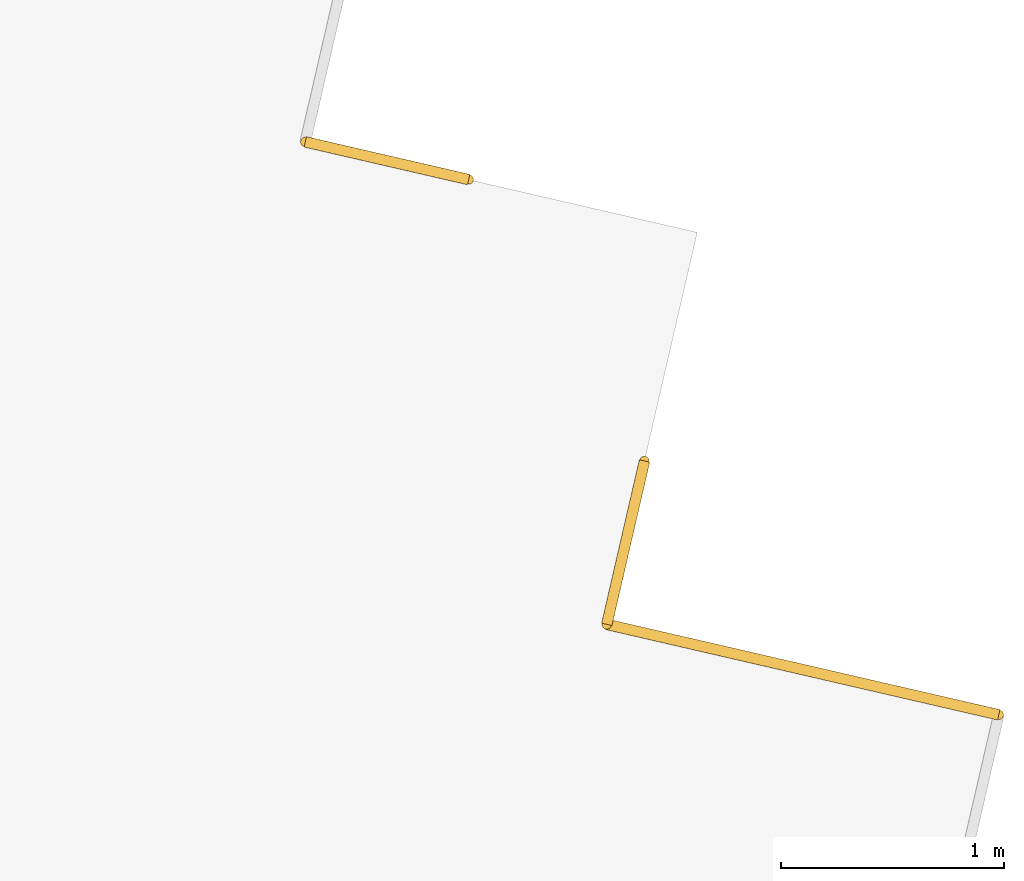
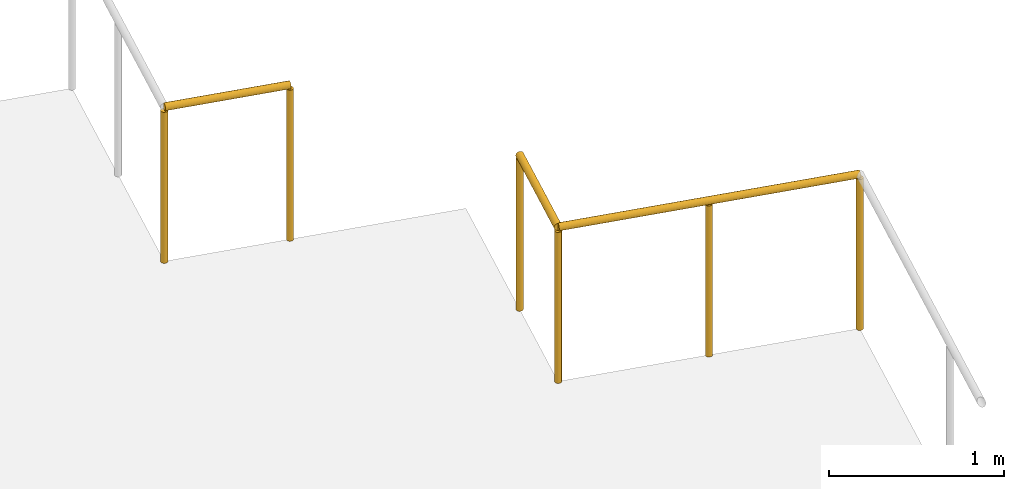
# One storey, part 21 of 24: 3 railings.
"""IFC4 building model written with IfcOpenShell, lengths in metres."""

from ifc_helpers import new_model, si_unit, direction, frame, origin, origin_2d, place, context, subcontext, project, spatial, circle, extrude, material, type_object, element, save


model = new_model("IFC4")

# Units and contexts
model_context = context("Model", 3, precision=1e-05, world=origin(), true_north=direction((0.0, 1.0)))
body_context = subcontext(model_context, "Body", "Model", "MODEL_VIEW")
ifc_project = project(units=[si_unit("LENGTHUNIT", "METRE"), si_unit("AREAUNIT", "SQUARE_METRE"), si_unit("VOLUMEUNIT", "CUBIC_METRE"), si_unit("PLANEANGLEUNIT", "RADIAN"), si_unit("MASSUNIT", "GRAM", prefix="KILO")], contexts=[model_context])

# Site, building, storey
site_placement = place(None, origin())
site = spatial("IfcSite", under=ifc_project, at=site_placement, CompositionType="ELEMENT")
building_placement = place(site_placement, origin())
building = spatial("IfcBuilding", under=site, at=building_placement, Name="Ogive Exchange Tower", CompositionType="ELEMENT")
storey_placement = place(building_placement, frame((0.0, 0.0, 165.60009765625)))
storey = spatial("IfcBuildingStorey", under=building, at=storey_placement, Name="L36", CompositionType="ELEMENT", Elevation=165.60009765625)

# Railings
ifc_material = material(Name="Stainless steel 316", Category="steel")
railing_type = type_object("IfcRailingType", Name="Balustrade 1100 glass and stainless steel", PredefinedType="BALUSTRADE", material=ifc_material)
railing_1_placement = place(storey_placement, frame((35.226806640625, 34.390380859375, 0.0)))
element("IfcRailing", 1, at=railing_1_placement, inside=storey, type_object=railing_type, Name="Terrace balustrade 14", PredefinedType="BALUSTRADE", context=body_context, shape_type="SweptSolid", body=[
    extrude(circle(Radius=0.02392578125, at=origin_2d()), frame((0.0, 0.0, 1.076171875), z_axis=(0.974385710358, -0.224883275169, 0.0), x_axis=(0.224883275169, 0.974385710358, 0.0)), (0.0, 0.0, 1.0), 0.750244140625),
    extrude(circle(Radius=0.02099609375, at=origin_2d()), origin(), (0.0, 0.0, 1.0), 1.052001953125),
    extrude(circle(Radius=0.02099609375, at=origin_2d()), frame((0.73095703125, -0.168701171875, 0.0)), (0.0, 0.0, 1.0), 1.052001953125),
])
railing_2_placement = place(storey_placement, frame((36.74462890625, 32.962890625, 0.0)))
element("IfcRailing", 2, at=railing_2_placement, inside=storey, type_object=railing_type, Name="Terrace balustrade 15", PredefinedType="BALUSTRADE", context=body_context, shape_type="SweptSolid", body=[
    extrude(circle(Radius=0.02392578125, at=origin_2d()), frame((0.0, 0.0, 1.076171875), z_axis=(-0.22512085051, -0.974330848668, 0.0), x_axis=(0.974330848668, -0.22512085051, 0.0)), (0.0, 0.0, 1.0), 0.75048828125),
    extrude(circle(Radius=0.02099609375, at=origin_2d()), origin(), (0.0, 0.0, 1.0), 1.052001953125),
    extrude(circle(Radius=0.02099609375, at=origin_2d()), frame((-0.1689453125, -0.731201171875, 0.0)), (0.0, 0.0, 1.0), 1.052001953125),
])
railing_3_placement = place(storey_placement, frame((36.57568359375, 32.231689453125, 0.0)))
element("IfcRailing", 3, at=railing_3_placement, inside=storey, type_object=railing_type, Name="Terrace balustrade 16", PredefinedType="BALUSTRADE", context=body_context, shape_type="SweptSolid", body=[
    extrude(circle(Radius=0.02392578125, at=origin_2d()), frame((0.0, 0.0, 1.076171875), z_axis=(0.974386623598, -0.224879318197, 0.0), x_axis=(0.224879318197, 0.974386623598, 0.0)), (0.0, 0.0, 1.0), 1.800048828125),
    extrude(circle(Radius=0.02099609375, at=origin_2d()), origin(), (0.0, 0.0, 1.0), 1.052001953125),
    extrude(circle(Radius=0.02099609375, at=origin_2d()), frame((0.876953125, -0.202392578125, 0.0)), (0.0, 0.0, 1.0), 1.052001953125),
    extrude(circle(Radius=0.02099609375, at=origin_2d()), frame((1.75390625, -0.40478515625, 0.0)), (0.0, 0.0, 1.0), 1.052001953125),
])

save(model, "model.ifc")
